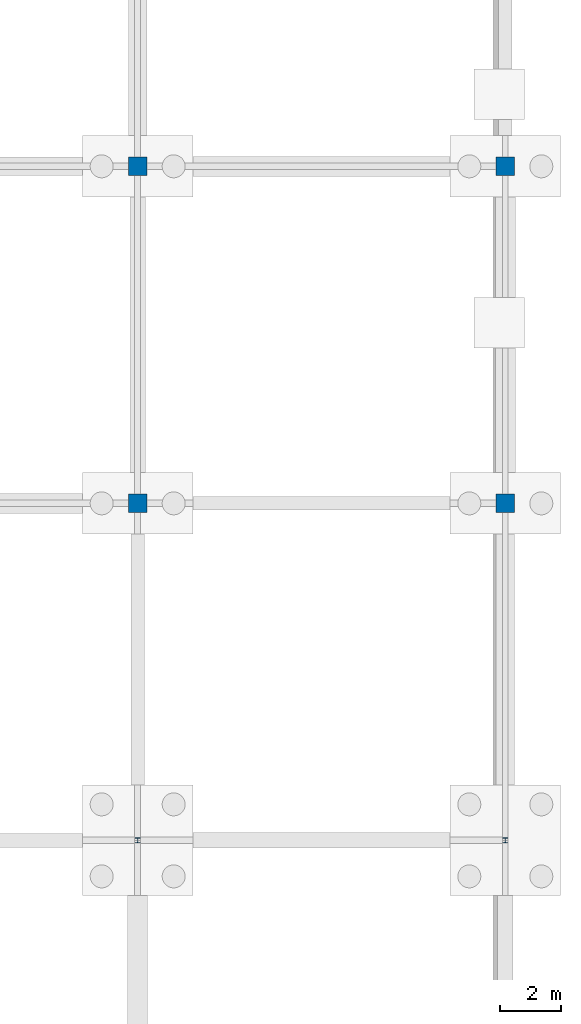
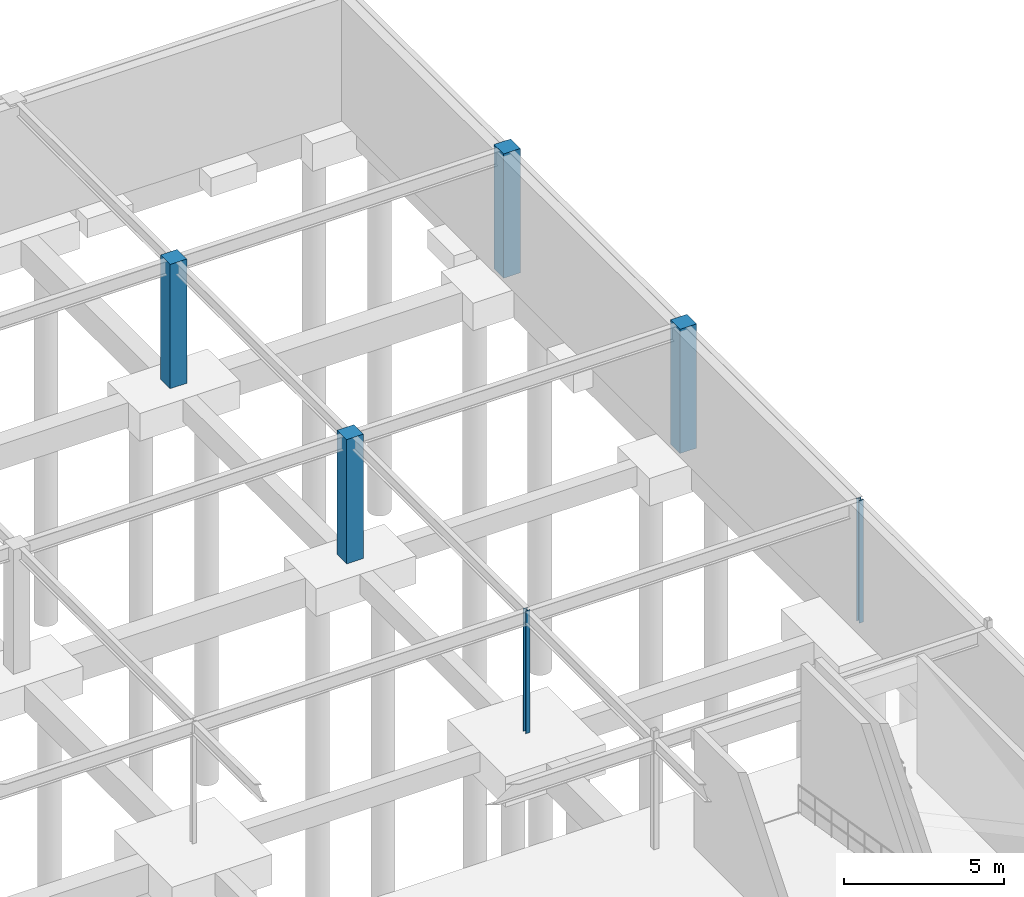
# One storey, part 49 of 75: 6 columns.
"""IFC4 building model written with IfcOpenShell, lengths in metres."""

from ifc_helpers import new_model, si_unit, derived_unit, direction, frame, origin, origin_2d_with_axis, place, context, subcontext, project, spatial, rectangle, i_section, extrude, material, material_profile, profile_set, type_object, element, save


model = new_model("IFC4")

# Units and contexts
model_context = context("Model", 3, precision=1e-05, world=origin(), true_north=direction((0.0, 1.0)))
body_context = subcontext(model_context, "Body", "Model", "MODEL_VIEW")
ifc_project = project(units=[si_unit("LENGTHUNIT", "METRE"), si_unit("AREAUNIT", "SQUARE_METRE"), si_unit("VOLUMEUNIT", "CUBIC_METRE"), si_unit("PLANEANGLEUNIT", "RADIAN"), si_unit("MASSUNIT", "GRAM", prefix="KILO"), derived_unit("THERMALTRANSMITTANCEUNIT", [(si_unit("POWERUNIT", "WATT"), 1), (si_unit("LENGTHUNIT", "METRE"), -2), (si_unit("THERMODYNAMICTEMPERATUREUNIT", "KELVIN"), -1)])], contexts=[model_context])

# Site, building, storey
site_placement = place(None, origin())
site = spatial("IfcSite", under=ifc_project, at=site_placement, CompositionType="ELEMENT")
building_placement = place(site_placement, origin())
building = spatial("IfcBuilding", under=site, at=building_placement, Name="Cinnabar Yard Market Hall", CompositionType="ELEMENT")
storey_placement = place(building_placement, frame((0.0, 0.0, -4.5)))
storey = spatial("IfcBuildingStorey", under=building, at=storey_placement, Name="B1", CompositionType="ELEMENT", Elevation=-4.5)

# Columns
ifc_material_1 = material(Name="Steel Grade 300 (300 MPa)", Category="steel")
ifc_material_profile_1 = material_profile(ifc_material_1, i_section(OverallWidth=0.154296875, OverallDepth=0.161865234375, WebThickness=0.008056640625, FlangeThickness=0.011474609375, FilletRadius=0.0087890625, at=origin_2d_with_axis()), Name="150UC37.2")
ifc_profile_set_1 = profile_set([ifc_material_profile_1], Name="Steel Grade 300 (300 MPa)")
column_type_1 = type_object("IfcColumnType", Name="COL-C14", PredefinedType="COLUMN", material=ifc_profile_set_1)
for number, where, z_axis, x_axis, name in (
    (1, (202.0, 42.0, -0.449951171875), (0.0, 0.0, 1.0), (1.0, 0.0, 0.0), "Dock Column V4-03-04 B1"),
    (2, (214.0, 42.0, -0.449951171875), (0.0, 0.0, 1.0), (1.0, 0.0, 0.0), "Dock Column V4-04-04 B1"),
):
    element("IfcColumn", number, at=place(storey_placement, frame(where, z_axis=z_axis, x_axis=x_axis)), inside=storey, type_object=column_type_1, Name=name, PredefinedType="COLUMN", context=body_context, shape_type="SweptSolid", body=[
        extrude(i_section(OverallWidth=0.154296875, OverallDepth=0.161865234375, WebThickness=0.008056640625, FlangeThickness=0.011474609375, FilletRadius=0.0087890625, at=origin_2d_with_axis()), origin(), (0.0, 0.0, 1.0), 4.669921875),
    ])
ifc_material_2 = material(Name="Concrete 40 MPa", Category="concrete")
ifc_material_profile_2 = material_profile(ifc_material_2, rectangle(XDim=0.60009765625, YDim=0.60009765625, at=origin_2d_with_axis()), Name="RC-600x600")
ifc_profile_set_2 = profile_set([ifc_material_profile_2], Name="Concrete 40 MPa")
column_type_2 = type_object("IfcColumnType", Name="COL-RC2", PredefinedType="COLUMN", material=ifc_profile_set_2)
for number, where, z_axis, x_axis, name in (
    (3, (202.0, 53.0, -0.449951171875), (0.0, 0.0, 1.0), (1.0, 0.0, 0.0), "Service Yard Substructure Pier V4Y-03-01"),
    (4, (202.0, 64.0, -0.449951171875), (0.0, 0.0, 1.0), (1.0, 0.0, 0.0), "Service Yard Substructure Pier V4Y-03-02"),
    (5, (214.0, 53.0, -0.449951171875), (0.0, 0.0, 1.0), (1.0, 0.0, 0.0), "Service Yard Substructure Pier V4Y-04-01"),
    (6, (214.0, 64.0, -0.449951171875), (0.0, 0.0, 1.0), (1.0, 0.0, 0.0), "Service Yard Substructure Pier V4Y-04-02"),
):
    element("IfcColumn", number, at=place(storey_placement, frame(where, z_axis=z_axis, x_axis=x_axis)), inside=storey, type_object=column_type_2, Name=name, PredefinedType="COLUMN", context=body_context, shape_type="SweptSolid", body=[
        extrude(rectangle(XDim=0.60009765625, YDim=0.60009765625, at=origin_2d_with_axis()), origin(), (0.0, 0.0, 1.0), 4.72998046875),
    ])

save(model, "model.ifc")
